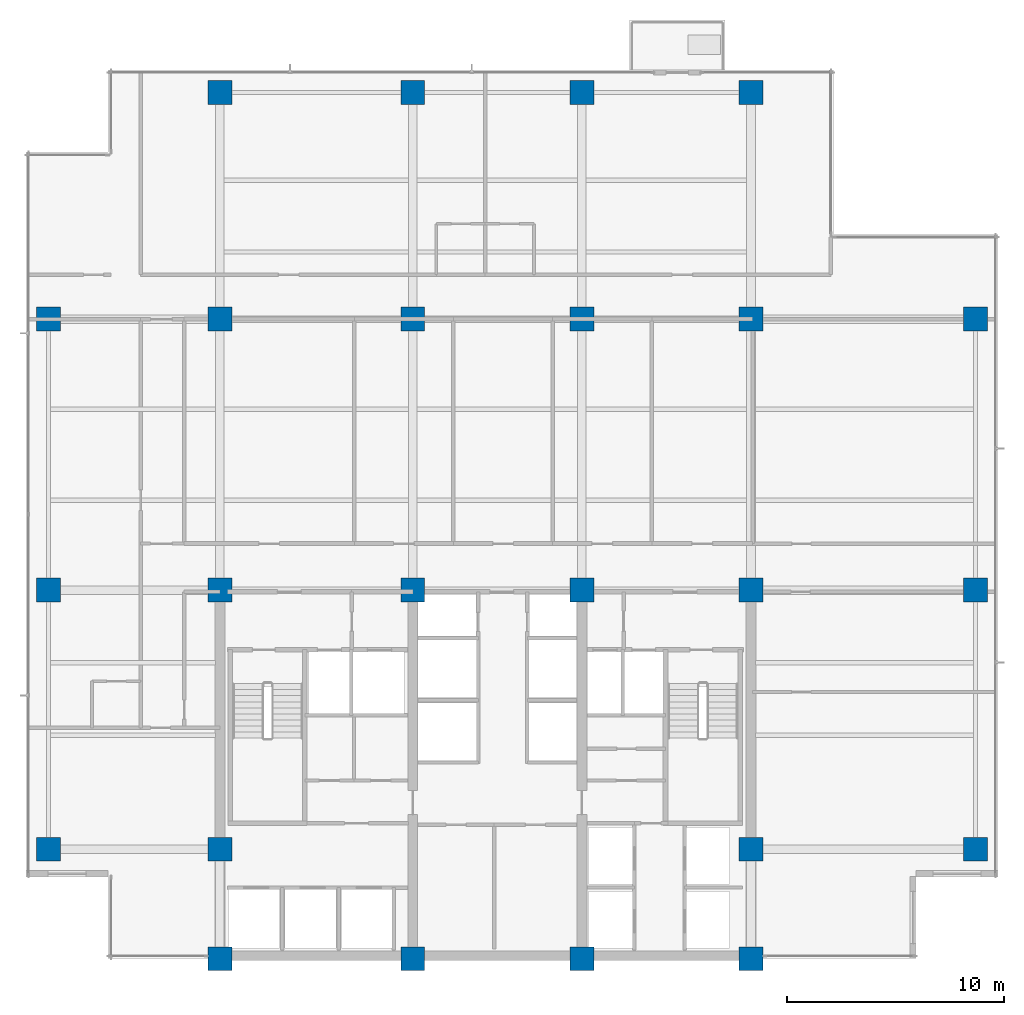
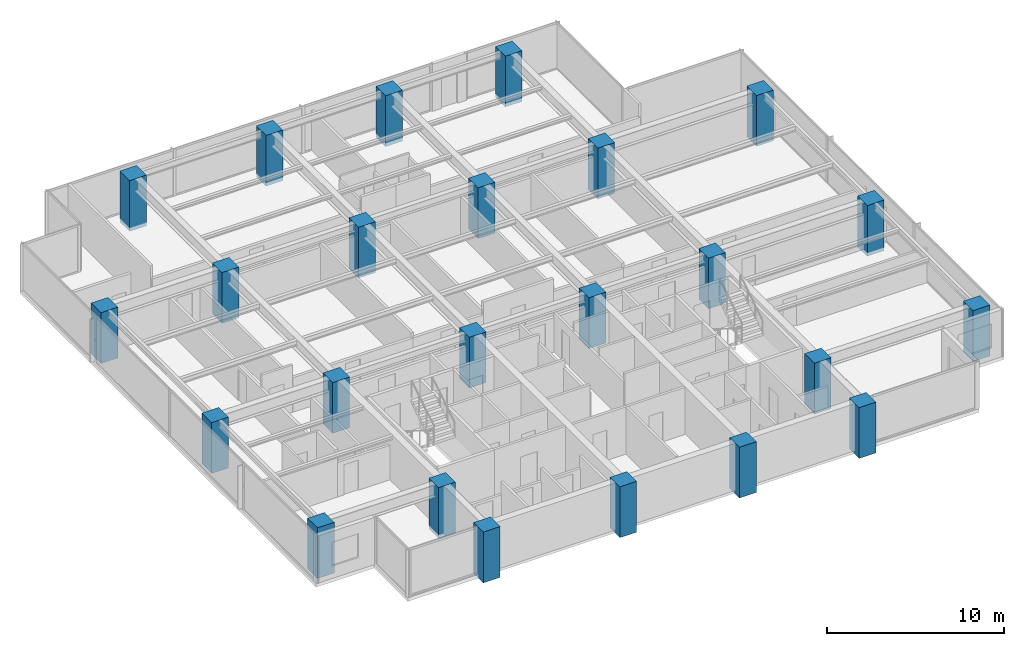
# One storey, part 1 of 15: 24 columns.
"""IFC4 building model written with IfcOpenShell, lengths in metres."""

import ifcopenshell
import ifcopenshell.guid

model = None  # the IFC model being written
_history = None  # IfcOwnerHistory: only IFC2X3 demands one
_inside = {}  # id of a spatial element -> (the spatial element, [elements in it])
_under = {}  # id of a project, library or spatial element -> (it, [spatial elements below it])
_declared = {}  # id of a project -> (the project, [libraries it declares])
_typed = {}  # id of a type object -> (the type object, [elements of that type])
_made_of = {}  # id of a material, layer set ... -> (it, [elements and type objects made of it])


def new_model(schema):
    """Start an empty IFC model of exactly this schema.

    Asked for "IFC4X3", IfcOpenShell would pick the latest addendum, in which some entities
    have other attributes; the version numbers below select the first issue.
    IFC2X3 requires an IfcOwnerHistory on every rooted entity: one is made here for all.
    """
    global model, _history
    if schema == "IFC4X3":
        model = ifcopenshell.file(schema_version=(4, 3, 0, 0))
    else:
        model = ifcopenshell.file(schema=schema)
    _inside.clear()
    _under.clear()
    _declared.clear()
    _typed.clear()
    _made_of.clear()
    _history = None
    if model.schema == "IFC2X3":
        org = make("IfcOrganization", Name="unknown")
        user = make(
            "IfcPersonAndOrganization",
            ThePerson=make("IfcPerson", FamilyName="unknown"),
            TheOrganization=org,
        )
        app = make(
            "IfcApplication",
            ApplicationDeveloper=org,
            Version="unknown",
            ApplicationFullName="unknown",
            ApplicationIdentifier="unknown",
        )
        _history = make(
            "IfcOwnerHistory",
            OwningUser=user,
            OwningApplication=app,
            ChangeAction="ADDED",
            CreationDate=0,
        )
    return model


def make(cls, **values):
    """One entity of the class cls with the attributes given. An attribute that is None is left unset."""
    return model.create_entity(
        cls, **{name: value for name, value in values.items() if value is not None}
    )


def rooted(cls, **values):
    """An entity with a GlobalId (a new one), such as an element, a storey or a relation."""
    return make(cls, GlobalId=ifcopenshell.guid.new(), OwnerHistory=_history, **values)


def si_unit(unit_type, name, prefix=None):
    """IfcSIUnit, for example si_unit("LENGTHUNIT", "METRE", prefix="MILLI")."""
    return make("IfcSIUnit", UnitType=unit_type, Prefix=prefix, Name=name)


def assignment(units):
    """IfcUnitAssignment: the units of a project."""
    return None if units is None else make("IfcUnitAssignment", Units=units)


def point(xyz):
    """IfcCartesianPoint."""
    return None if xyz is None else make("IfcCartesianPoint", Coordinates=xyz)


def direction(xyz):
    """IfcDirection."""
    return None if xyz is None else make("IfcDirection", DirectionRatios=xyz)


def frame(location, z_axis=None, x_axis=None):
    """IfcAxis2Placement3D, a coordinate frame: its origin and axes. An axis left out is left unset."""
    return make(
        "IfcAxis2Placement3D",
        Location=point(location),
        Axis=direction(z_axis),
        RefDirection=direction(x_axis),
    )


def frame_2d(location, x_axis=None):
    """IfcAxis2Placement2D, a coordinate frame in the plane: its origin and x axis."""
    return make(
        "IfcAxis2Placement2D", Location=point(location), RefDirection=direction(x_axis)
    )


def origin():
    """The frame at (0, 0, 0) with its axes left unset."""
    return frame((0.0, 0.0, 0.0))


def origin_2d():
    """The frame at (0, 0) in the plane with its x axis left unset."""
    return frame_2d((0.0, 0.0))


def place(relative_to, where):
    """IfcLocalPlacement: puts the frame where relative to a parent placement (None: the world)."""
    return make(
        "IfcLocalPlacement", PlacementRelTo=relative_to, RelativePlacement=where
    )


def context(
    kind, dimensions, precision=None, world=None, true_north=None, identifier=None
):
    """IfcGeometricRepresentationContext, for example the 3D "Model" context."""
    return make(
        "IfcGeometricRepresentationContext",
        ContextIdentifier=identifier,
        ContextType=kind,
        CoordinateSpaceDimension=dimensions,
        Precision=precision,
        WorldCoordinateSystem=world,
        TrueNorth=true_north,
    )


def subcontext(parent, identifier, kind, view, scale=None):
    """IfcGeometricRepresentationSubContext, for example "Body" below "Model"."""
    return make(
        "IfcGeometricRepresentationSubContext",
        ContextIdentifier=identifier,
        ContextType=kind,
        ParentContext=parent,
        TargetScale=scale,
        TargetView=view,
    )


def project(units=None, contexts=None):
    """IfcProject with its units and contexts."""
    return rooted(
        "IfcProject",
        Name="project",
        RepresentationContexts=contexts,
        UnitsInContext=assignment(units),
    )


def spatial(cls, under=None, at=None, **own):
    """A site, building, storey or space (cls), placed at a placement, below another one or the project."""
    s = rooted(cls, ObjectPlacement=at, **own)
    if under is not None:
        _under.setdefault(under.id(), (under, []))[1].append(s)
    return s


def profile(cls, at=None, kind="AREA", **sizes):
    """A parametric profile (cls). Its sizes go by their IFC names, for example OverallWidth=200.0."""
    return make(cls, ProfileType=kind, Position=at, **sizes)


def rectangle(**sizes):
    """IfcRectangleProfileDef."""
    return profile("IfcRectangleProfileDef", **sizes)


def extrude(swept, where, along, depth):
    """IfcExtrudedAreaSolid: the profile swept, set in the frame where, extruded along a direction by depth."""
    return make(
        "IfcExtrudedAreaSolid",
        SweptArea=swept,
        Position=where,
        ExtrudedDirection=direction(along),
        Depth=depth,
    )


def shape(context_of_items, identifier, shape_type, items):
    """IfcShapeRepresentation: the items that make up one representation, for example the "Body"."""
    return make(
        "IfcShapeRepresentation",
        ContextOfItems=context_of_items,
        RepresentationIdentifier=identifier,
        RepresentationType=shape_type,
        Items=items,
    )


def material(Name=None, Category=None):
    """IfcMaterial."""
    return make("IfcMaterial", Name=Name, Category=Category)


def material_profile(
    of_material, cross_section, Name=None, Category=None, Priority=None
):
    """IfcMaterialProfile: a cross section and its material."""
    return make(
        "IfcMaterialProfile",
        Name=Name,
        Material=of_material,
        Profile=cross_section,
        Priority=Priority,
        Category=Category,
    )


def profile_set(profiles, Name=None, composite=None):
    """IfcMaterialProfileSet."""
    return make(
        "IfcMaterialProfileSet",
        Name=Name,
        MaterialProfiles=profiles,
        CompositeProfile=composite,
    )


def made_of(thing, what):
    """Note that an element or type object is made of a material, layer set ...; save() writes the relation."""
    if what is not None:
        _made_of.setdefault(what.id(), (what, []))[1].append(thing)
    return thing


def type_object(cls, material=None, **own):
    """A type object (cls), such as IfcWallType, which elements share."""
    return made_of(rooted(cls, **own), material)


def element(
    cls,
    number,
    at=None,
    inside=None,
    cuts=None,
    type_object=None,
    material=None,
    context=None,
    identifier="Body",
    shape_type=None,
    held_by="IfcProductDefinitionShape",
    body=None,
    shapes=None,
    **own,
):
    """One element of the class cls, such as IfcWall. Its Tag is "e" and its number.

    at: its placement. inside: the storey or other place that contains it. cuts: it is an
    opening in that element (IfcRelVoidsElement). A single representation is given by context,
    identifier, shape_type and body (its items); several are given by shapes. held_by: the class
    of the entity that holds the representations. save() writes the other relations.
    """
    e = rooted(cls, Tag="e%d" % number, ObjectPlacement=at, **own)
    if body is not None:
        shapes = [shape(context, identifier, shape_type, body)]
    if shapes is not None:
        e.Representation = make(held_by, Representations=shapes)
    if inside is not None:
        _inside.setdefault(inside.id(), (inside, []))[1].append(e)
    if cuts is not None:
        rooted(
            "IfcRelVoidsElement", RelatingBuildingElement=cuts, RelatedOpeningElement=e
        )
    if type_object is not None:
        _typed.setdefault(type_object.id(), (type_object, []))[1].append(e)
    return made_of(e, material)


def aggregate(whole, parts):
    """IfcRelAggregates: a whole, such as a stair, and the parts it consists of."""
    return rooted("IfcRelAggregates", RelatingObject=whole, RelatedObjects=parts)


def save(model, path):
    """Write the relations noted so far, then the file.

    IfcRelAggregates (storeys below a building ...), IfcRelContainedInSpatialStructure (elements
    in a storey), IfcRelDefinesByType, IfcRelAssociatesMaterial and IfcRelDeclares: one each for
    every whole, place, type object, material and project.
    """
    for whole, parts in _under.values():
        aggregate(whole, parts)
    for where, things in _inside.values():
        rooted(
            "IfcRelContainedInSpatialStructure",
            RelatedElements=things,
            RelatingStructure=where,
        )
    for kind, things in _typed.values():
        rooted("IfcRelDefinesByType", RelatedObjects=things, RelatingType=kind)
    for what, things in _made_of.values():
        rooted("IfcRelAssociatesMaterial", RelatedObjects=things, RelatingMaterial=what)
    for by, libraries in _declared.values():
        rooted("IfcRelDeclares", RelatingContext=by, RelatedDefinitions=libraries)
    model.write(path)


model = new_model("IFC4")

# Units and contexts
model_context = context("Model", 3, precision=1e-05, world=origin(), true_north=direction((0.0, 1.0)))
body_context = subcontext(model_context, "Body", "Model", "MODEL_VIEW")
ifc_project = project(units=[si_unit("LENGTHUNIT", "METRE"), si_unit("AREAUNIT", "SQUARE_METRE"), si_unit("VOLUMEUNIT", "CUBIC_METRE"), si_unit("PLANEANGLEUNIT", "RADIAN"), si_unit("MASSUNIT", "GRAM", prefix="KILO")], contexts=[model_context])

# Site, building, storey
site_placement = place(None, origin())
site = spatial("IfcSite", under=ifc_project, at=site_placement, CompositionType="ELEMENT")
building_placement = place(site_placement, origin())
building = spatial("IfcBuilding", under=site, at=building_placement, Name="Qalmaran Belvedere Hotel", CompositionType="ELEMENT")
storey_placement = place(building_placement, frame((0.0, 0.0, 149.10009765625)))
storey = spatial("IfcBuildingStorey", under=building, at=storey_placement, Name="L37", CompositionType="ELEMENT", Elevation=149.10009765625)

# Columns
ifc_material = material(Name="Concrete C50/60", Category="concrete")
ifc_material_profile = material_profile(ifc_material, rectangle(XDim=1.10009765625, YDim=1.10009765625, at=origin_2d()), Name="CC1100X1100")
ifc_profile_set = profile_set([ifc_material_profile], Name="Concrete C50/60")
column_type = type_object("IfcColumnType", Name="COL-Z3-CC1100", PredefinedType="COLUMN", material=ifc_profile_set)
for number, where, z_axis, x_axis, name in (
    (1, (20.300048828125, 3.5, -0.25), (0.0, 0.0, 1.0), (1.0, 0.0, 0.0), "L37 Column C4B"),
    (2, (29.199951171875, 3.5, -0.25), (0.0, 0.0, 1.0), (1.0, 0.0, 0.0), "L37 Column C5B"),
    (3, (37.0, 3.5, -0.25), (0.0, 0.0, 1.0), (1.0, 0.0, 0.0), "L37 Column C6B"),
    (4, (44.800048828125, 3.5, -0.25), (0.0, 0.0, 1.0), (1.0, 0.0, 0.0), "L37 Column C7B"),
    (5, (20.300048828125, 8.550048828125, -0.25), (0.0, 0.0, 1.0), (1.0, 0.0, 0.0), "L37 Column C4C"),
    (6, (44.800048828125, 8.550048828125, -0.25), (0.0, 0.0, 1.0), (1.0, 0.0, 0.0), "L37 Column C7C"),
    (7, (20.300048828125, 20.5, -0.25), (0.0, 0.0, 1.0), (1.0, 0.0, 0.0), "L37 Column C4D"),
    (8, (29.199951171875, 20.5, -0.25), (0.0, 0.0, 1.0), (1.0, 0.0, 0.0), "L37 Column C5D"),
    (9, (37.0, 20.5, -0.25), (0.0, 0.0, 1.0), (1.0, 0.0, 0.0), "L37 Column C6D"),
    (10, (44.800048828125, 20.5, -0.25), (0.0, 0.0, 1.0), (1.0, 0.0, 0.0), "L37 Column C7D"),
    (11, (20.300048828125, 33.0, -0.25), (0.0, 0.0, 1.0), (1.0, 0.0, 0.0), "L37 Column C4F"),
    (12, (29.199951171875, 33.0, -0.25), (0.0, 0.0, 1.0), (1.0, 0.0, 0.0), "L37 Column C5F"),
    (13, (37.0, 33.0, -0.25), (0.0, 0.0, 1.0), (1.0, 0.0, 0.0), "L37 Column C6F"),
    (14, (44.800048828125, 33.0, -0.25), (0.0, 0.0, 1.0), (1.0, 0.0, 0.0), "L37 Column C7F"),
    (15, (12.39990234375, 8.550048828125, -0.25), (0.0, 0.0, 1.0), (1.0, 0.0, 0.0), "L37 Column CW1"),
    (16, (12.39990234375, 20.5, -0.25), (0.0, 0.0, 1.0), (1.0, 0.0, 0.0), "L37 Column CW3"),
    (17, (12.39990234375, 33.0, -0.25), (0.0, 0.0, 1.0), (1.0, 0.0, 0.0), "L37 Column CW4"),
    (18, (55.14990234375, 8.550048828125, -0.25), (0.0, 0.0, 1.0), (1.0, 0.0, 0.0), "L37 Column CE1"),
    (19, (55.14990234375, 20.5, -0.25), (0.0, 0.0, 1.0), (1.0, 0.0, 0.0), "L37 Column CE3"),
    (20, (55.14990234375, 33.0, -0.25), (0.0, 0.0, 1.0), (1.0, 0.0, 0.0), "L37 Column CE4"),
    (21, (20.300048828125, 43.449951171875, -0.25), (0.0, 0.0, 1.0), (1.0, 0.0, 0.0), "L37 Column CN1"),
    (22, (29.199951171875, 43.449951171875, -0.25), (0.0, 0.0, 1.0), (1.0, 0.0, 0.0), "L37 Column CN2"),
    (23, (37.0, 43.449951171875, -0.25), (0.0, 0.0, 1.0), (1.0, 0.0, 0.0), "L37 Column CN3"),
    (24, (44.800048828125, 43.449951171875, -0.25), (0.0, 0.0, 1.0), (1.0, 0.0, 0.0), "L37 Column CN4"),
):
    element("IfcColumn", number, at=place(storey_placement, frame(where, z_axis=z_axis, x_axis=x_axis)), inside=storey, type_object=column_type, Name=name, PredefinedType="COLUMN", context=body_context, shape_type="SweptSolid", body=[
        extrude(rectangle(XDim=1.10009765625, YDim=1.10009765625, at=origin_2d()), origin(), (0.0, 0.0, 1.0), 3.5),
    ])

save(model, "model.ifc")
